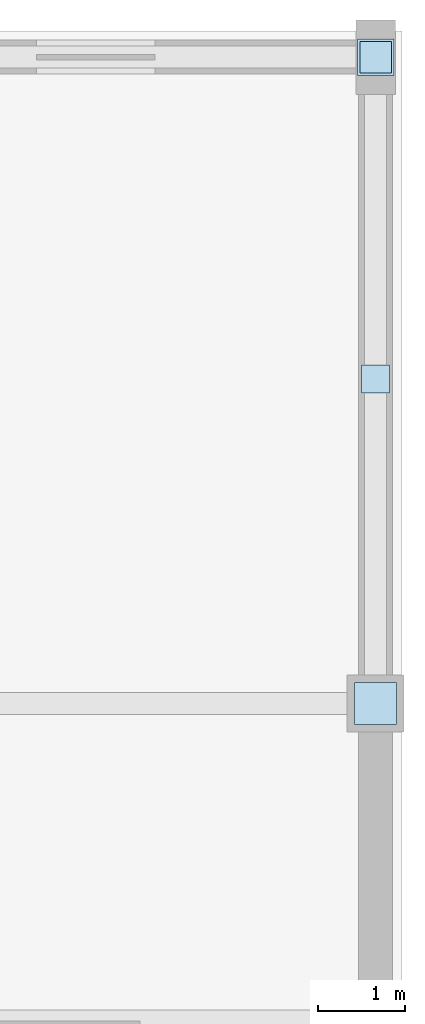
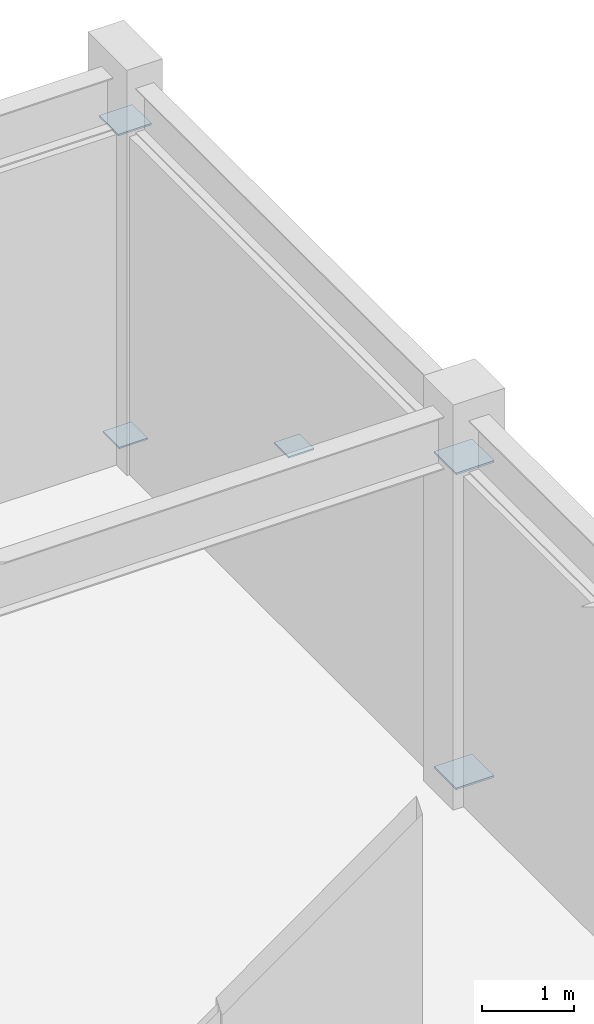
# One storey, part 49 of 93: 5 plates.
"""IFC4 building model written with IfcOpenShell, lengths in metres."""

from ifc_helpers import new_model, si_unit, direction, frame, origin, origin_2d, place, context, subcontext, project, spatial, rectangle, extrude, material, layer, layer_set, type_object, element, save


model = new_model("IFC4")

# Units and contexts
model_context = context("Model", 3, precision=1e-05, world=origin(), true_north=direction((0.0, 1.0)))
body_context = subcontext(model_context, "Body", "Model", "MODEL_VIEW")
ifc_project = project(units=[si_unit("LENGTHUNIT", "METRE"), si_unit("AREAUNIT", "SQUARE_METRE"), si_unit("VOLUMEUNIT", "CUBIC_METRE"), si_unit("PLANEANGLEUNIT", "RADIAN"), si_unit("MASSUNIT", "GRAM", prefix="KILO")], contexts=[model_context])

# Site, building, storey
site_placement = place(None, origin())
site = spatial("IfcSite", under=ifc_project, at=site_placement, CompositionType="ELEMENT")
building_placement = place(site_placement, origin())
building = spatial("IfcBuilding", under=site, at=building_placement, Name="Cinderbank Siding Concert Hall", CompositionType="ELEMENT")
storey_placement = place(building_placement, origin())
storey = spatial("IfcBuildingStorey", under=building, at=storey_placement, Name="L01", CompositionType="ELEMENT", Elevation=0.0)

# Plates
ifc_material = material(Name="Structural steel welded plate section AS/NZS 3679.2 / AS/NZS 3678 Grade 350 (340 MPa)", Category="steel")
ifc_layer_1 = layer(ifc_material, 0.02490234375)
ifc_layer_set_1 = layer_set([ifc_layer_1], Name="Structural steel welded plate section AS/NZS 3679.2 / AS/NZS 3678 Grade 350 (340 MPa)")
plate_type_1 = type_object("IfcPlateType", Name="GP-01 Steel Gusset Cap Plate 480x480x25", PredefinedType="SHEET", material=ifc_layer_set_1)
for number, where, z_axis, x_axis, name in (
    (1, (172.89990234375, 110.5, 0.1875), (0.0, 0.0, 1.0), (0.0, 1.0, 0.0), "L01 Steel Node Gusset Plate GP-01 #1368"),
    (2, (172.89990234375, 110.5, 4.387451171875), (0.0, 0.0, 1.0), (0.0, -1.0, 0.0), "L01 Steel Node Gusset Plate GP-01 #1372"),
):
    element("IfcPlate", number, at=place(storey_placement, frame(where, z_axis=z_axis, x_axis=x_axis)), inside=storey, type_object=plate_type_1, Name=name, PredefinedType="SHEET", context=body_context, shape_type="SweptSolid", body=[
        extrude(rectangle(XDim=0.47998046875, YDim=0.47998046875, at=origin_2d()), origin(), (0.0, 0.0, 1.0), 0.02490234375),
    ])
ifc_layer_2 = layer(ifc_material, 0.02197265625)
ifc_layer_set_2 = layer_set([ifc_layer_2], Name="Structural steel welded plate section AS/NZS 3679.2 / AS/NZS 3678 Grade 350 (340 MPa)")
plate_type_2 = type_object("IfcPlateType", Name="GP-02 Steel Gusset Cap Plate 420x420x22", PredefinedType="SHEET", material=ifc_layer_set_2)
plate_1_placement = place(storey_placement, frame((172.89990234375, 117.89990234375, 4.388916015625), z_axis=(0.0, 0.0, 1.0), x_axis=(0.0, 1.0, 0.0)))
element("IfcPlate", 3, at=plate_1_placement, inside=storey, type_object=plate_type_2, Name="L01 Steel Node Gusset Plate GP-02 #1369", PredefinedType="SHEET", context=body_context, shape_type="SweptSolid", body=[
    extrude(rectangle(XDim=0.419921875, YDim=0.419921875, at=origin_2d()), origin(), (0.0, 0.0, 1.0), 0.02197265625),
])
ifc_layer_3 = layer(ifc_material, 0.02001953125)
ifc_layer_set_3 = layer_set([ifc_layer_3], Name="Structural steel welded plate section AS/NZS 3679.2 / AS/NZS 3678 Grade 350 (340 MPa)")
plate_type_3 = type_object("IfcPlateType", Name="GP-03 Steel Gusset Cap Plate 360x360x20", PredefinedType="SHEET", material=ifc_layer_set_3)
plate_2_placement = place(storey_placement, frame((172.89990234375, 117.89990234375, 0.18994140625), z_axis=(0.0, 0.0, 1.0), x_axis=(0.0, -1.0, 0.0)))
element("IfcPlate", 4, at=plate_2_placement, inside=storey, type_object=plate_type_3, Name="L01 Steel Node Gusset Plate GP-03 #1370", PredefinedType="SHEET", context=body_context, shape_type="SweptSolid", body=[
    extrude(rectangle(XDim=0.360107421875, YDim=0.360107421875, at=origin_2d()), origin(), (0.0, 0.0, 1.0), 0.02001953125),
])
ifc_layer_4 = layer(ifc_material, 0.02099609375)
ifc_layer_set_4 = layer_set([ifc_layer_4], Name="Structural steel welded plate section AS/NZS 3679.2 / AS/NZS 3678 Grade 350 (340 MPa)")
plate_type_4 = type_object("IfcPlateType", Name="GP-04 Steel Gusset Cap Plate 320x320x21", PredefinedType="SHEET", material=ifc_layer_set_4)
plate_3_placement = place(storey_placement, frame((172.89990234375, 114.212890625, 2.281982421875), z_axis=(0.0, 0.0, 1.0), x_axis=(0.0, -1.0, 0.0)))
element("IfcPlate", 5, at=plate_3_placement, inside=storey, type_object=plate_type_4, Name="L01 Steel Node Gusset Plate GP-04 #1371", PredefinedType="SHEET", context=body_context, shape_type="SweptSolid", body=[
    extrude(rectangle(XDim=0.320068359375, YDim=0.320068359375, at=origin_2d()), origin(), (0.0, 0.0, 1.0), 0.02099609375),
])

save(model, "model.ifc")
